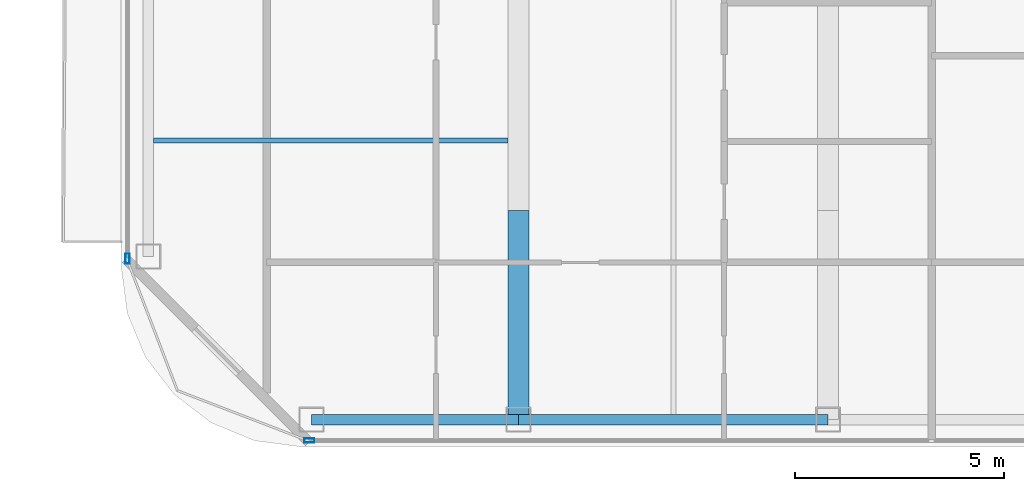
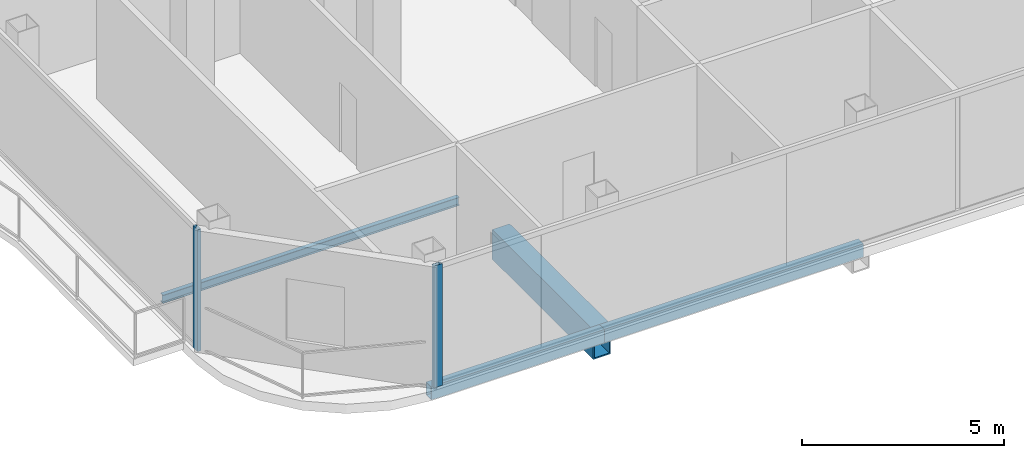
# One storey, part 2 of 24: 4 beams, 2 members, 2 elements without a shape of their own.
"""IFC4 building model written with IfcOpenShell, lengths in metres."""

from ifc_helpers import new_model, si_unit, direction, frame, origin, origin_2d, place, context, subcontext, project, spatial, hollow_rectangle, i_section, extrude, material, layer, layer_set, material_profile, profile_set, type_object, element, aggregate, save


model = new_model("IFC4")

# Units and contexts
model_context = context("Model", 3, precision=1e-05, world=origin(), true_north=direction((0.0, 1.0)))
body_context = subcontext(model_context, "Body", "Model", "MODEL_VIEW")
ifc_project = project(units=[si_unit("LENGTHUNIT", "METRE"), si_unit("AREAUNIT", "SQUARE_METRE"), si_unit("VOLUMEUNIT", "CUBIC_METRE"), si_unit("PLANEANGLEUNIT", "RADIAN"), si_unit("MASSUNIT", "GRAM", prefix="KILO")], contexts=[model_context])

# Site, building, storey
site_placement = place(None, origin())
site = spatial("IfcSite", under=ifc_project, at=site_placement, CompositionType="ELEMENT")
building_placement = place(site_placement, origin())
building = spatial("IfcBuilding", under=site, at=building_placement, Name="Khorvyn Point Tower", CompositionType="ELEMENT")
storey_placement = place(building_placement, frame((0.0, 0.0, 191.39990234375)))
storey = spatial("IfcBuildingStorey", under=building, at=storey_placement, Name="L47", CompositionType="ELEMENT", Elevation=191.39990234375)

# Curtain wall, member
ifc_material_1 = material(Name="Anodised aluminium 6063-T6 and laminated Low-E glass", Category="aluminium")
ifc_layer = layer(ifc_material_1, 0.18994140625)
ifc_layer_set = layer_set([ifc_layer], Name="Stick-Built Acoustic Curtain Wall CW-SYS-03")
curtain_wall_type = type_object("IfcCurtainWallType", Name="Stick-Built Acoustic Curtain Wall CW-SYS-03", PredefinedType="NOTDEFINED", material=ifc_layer_set)
curtain_wall_1_placement = place(storey_placement, origin())
curtain_wall_1 = element("IfcCurtainWall", 1, at=curtain_wall_1_placement, inside=storey, type_object=curtain_wall_type, Name="Curtain Wall", PredefinedType="NOTDEFINED")
ifc_material_2 = material(Name="Anodised aluminium 6063-T6", Category="aluminium")
ifc_material_profile_1 = material_profile(ifc_material_2, hollow_rectangle(XDim=0.10009765625, YDim=0.239990234375, WallThickness=0.0048828125, at=origin_2d()))
ifc_profile_set_1 = profile_set([ifc_material_profile_1], Name="Anodised aluminium 6063-T6 ALU-MUL-100x240")
member_type = type_object("IfcMemberType", Name="Anodised Aluminium 6063-T6 Mullion ALU-MUL-100x240", PredefinedType="MULLION", material=ifc_profile_set_1)
member_1_placement = place(storey_placement, frame((-19.800048828125, -28.64990234375, 0.0), z_axis=(0.0, 0.0, 1.0), x_axis=(0.0, -1.0, 0.0)))
member_1 = element("IfcMember", 2, at=member_1_placement, type_object=member_type, Name="Transom", PredefinedType="MULLION", context=body_context, shape_type="SweptSolid", body=[
    extrude(hollow_rectangle(XDim=0.10009765625, YDim=0.239990234375, WallThickness=0.0048828125, at=origin_2d()), origin(), (0.0, 0.0, 1.0), 3.68017578125),
])
aggregate(curtain_wall_1, [member_1])

curtain_wall_2_placement = place(storey_placement, origin())
curtain_wall_2 = element("IfcCurtainWall", 3, at=curtain_wall_2_placement, inside=storey, type_object=curtain_wall_type, Name="Curtain Wall", PredefinedType="NOTDEFINED")
member_2_placement = place(storey_placement, frame((-24.14990234375, -24.300048828125, 0.0), z_axis=(0.0, 0.0, 1.0), x_axis=(-1.0, 0.0, 0.0)))
member_2 = element("IfcMember", 4, at=member_2_placement, type_object=member_type, Name="Transom", PredefinedType="MULLION", context=body_context, shape_type="SweptSolid", body=[
    extrude(hollow_rectangle(XDim=0.10009765625, YDim=0.239990234375, WallThickness=0.0048828125, at=origin_2d()), origin(), (0.0, 0.0, 1.0), 3.68017578125),
])
aggregate(curtain_wall_2, [member_2])

# Beams
ifc_material_3 = material(Name="Steel S355", Category="steel")
ifc_material_profile_2 = material_profile(ifc_material_3, i_section(OverallWidth=0.125, OverallDepth=0.25, WebThickness=0.006103515625, FlangeThickness=0.009033203125, at=origin_2d()))
ifc_profile_set_2 = profile_set([ifc_material_profile_2], Name="Steel S355 H250x125x6x9")
beam_type_1 = type_object("IfcBeamType", Name="Steel S355 Joist H250x125x6x9", PredefinedType="JOIST", material=ifc_profile_set_2)
beam_1_placement = place(storey_placement, frame((-23.52490234375, -21.47509765625, -0.40478515625), z_axis=(1.0, 0.0, 0.0), x_axis=(0.0, 1.0, 0.0)))
element("IfcBeam", 5, at=beam_1_placement, inside=storey, type_object=beam_type_1, Name="Beam", PredefinedType="JOIST", context=body_context, shape_type="SweptSolid", body=[
    extrude(i_section(OverallWidth=0.125, OverallDepth=0.25, WebThickness=0.006103515625, FlangeThickness=0.009033203125, at=origin_2d()), origin(), (0.0, 0.0, 1.0), 8.474853515625),
])
ifc_material_profile_3 = material_profile(ifc_material_3, hollow_rectangle(XDim=0.25, YDim=0.39990234375, WallThickness=0.01611328125, at=origin_2d()))
ifc_profile_set_3 = profile_set([ifc_material_profile_3], Name="Steel S355 RHS400x250x16")
beam_type_2 = type_object("IfcBeamType", Name="Steel S355 Spandrel RHS400x250x16", PredefinedType="SPANDREL", material=ifc_profile_set_3)
beam_2_placement = place(storey_placement, frame((-19.75, -28.14990234375, -0.47998046875), z_axis=(1.0, 0.0, 0.0), x_axis=(0.0, 1.0, 0.0)))
element("IfcBeam", 6, at=beam_2_placement, inside=storey, type_object=beam_type_2, Name="Beam", PredefinedType="SPANDREL", context=body_context, shape_type="SweptSolid", body=[
    extrude(hollow_rectangle(XDim=0.25, YDim=0.39990234375, WallThickness=0.01611328125, at=origin_2d()), origin(), (0.0, 0.0, 1.0), 4.949951171875),
])
beam_3_placement = place(storey_placement, frame((-14.800048828125, -28.14990234375, -0.47998046875), z_axis=(1.0, 0.0, 0.0), x_axis=(0.0, 1.0, 0.0)))
element("IfcBeam", 7, at=beam_3_placement, inside=storey, type_object=beam_type_2, Name="Beam", PredefinedType="SPANDREL", context=body_context, shape_type="SweptSolid", body=[
    extrude(hollow_rectangle(XDim=0.25, YDim=0.39990234375, WallThickness=0.01611328125, at=origin_2d()), origin(), (0.0, 0.0, 1.0), 7.400146484375),
])
ifc_material_4 = material(Name="Steel S450", Category="steel")
ifc_material_profile_4 = material_profile(ifc_material_4, hollow_rectangle(XDim=0.5, YDim=0.89990234375, WallThickness=0.0400390625, at=origin_2d()))
ifc_profile_set_4 = profile_set([ifc_material_profile_4], Name="Steel S450 BOX900x500x40")
beam_type_3 = type_object("IfcBeamType", Name="Steel S450 Beam BOX900x500x40", PredefinedType="BEAM", material=ifc_profile_set_4)
beam_4_placement = place(storey_placement, frame((-14.800048828125, -28.14990234375, -0.72998046875), z_axis=(0.0, 1.0, 0.0), x_axis=(-1.0, 0.0, 0.0)))
element("IfcBeam", 8, at=beam_4_placement, inside=storey, type_object=beam_type_3, Name="L47 Radial Transfer Girder", PredefinedType="BEAM", context=body_context, shape_type="SweptSolid", body=[
    extrude(hollow_rectangle(XDim=0.5, YDim=0.89990234375, WallThickness=0.0400390625, at=origin_2d()), origin(), (0.0, 0.0, 1.0), 5.0),
])

save(model, "model.ifc")
